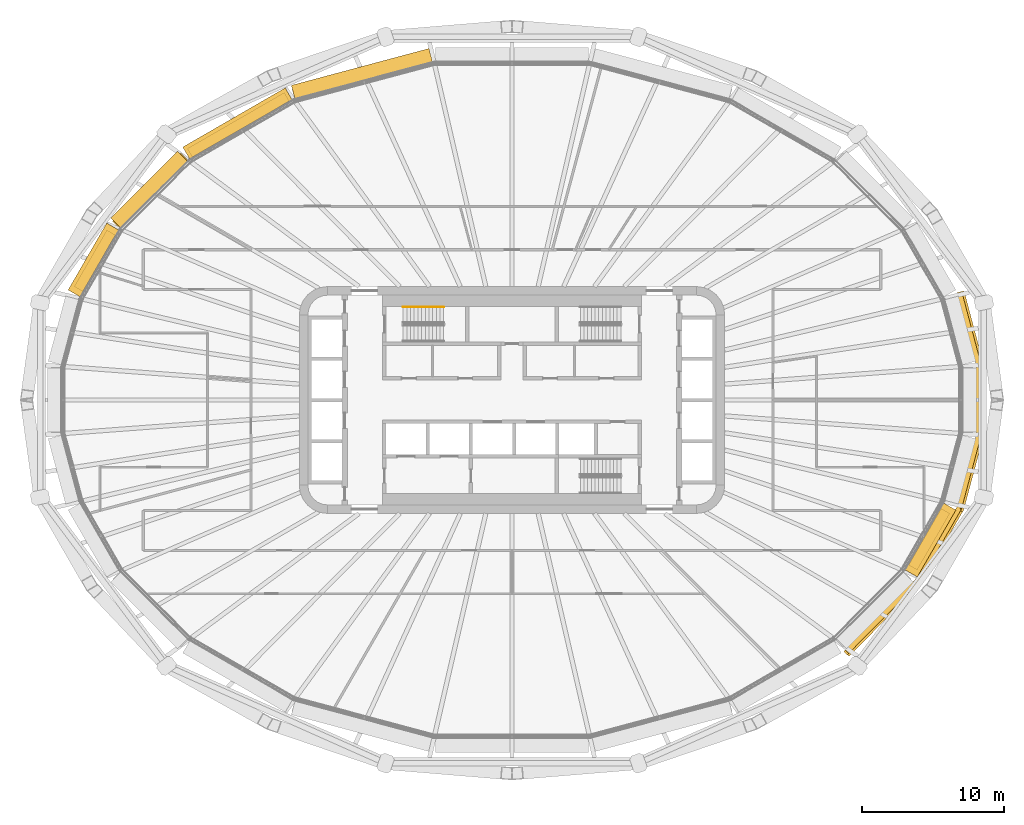
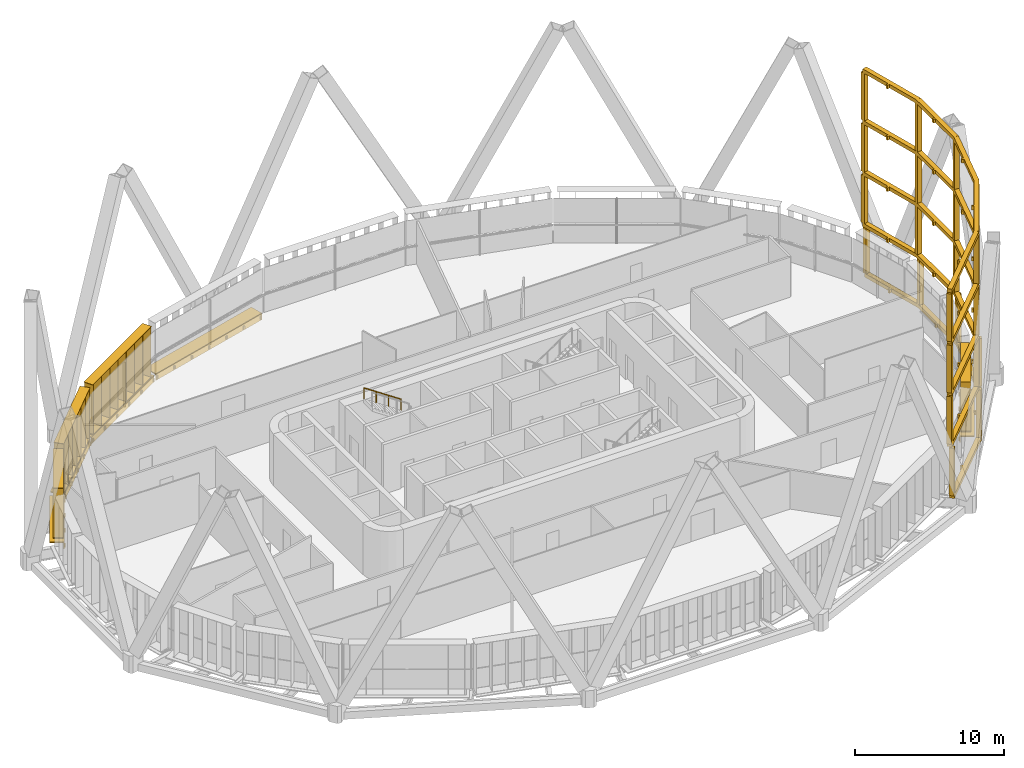
# One storey, part 25 of 26: 10 shading devices, 1 railing.
"""IFC4 building model written with IfcOpenShell, lengths in metres."""

from ifc_helpers import new_model, si_unit, direction, frame, origin, origin_2d, place, context, subcontext, project, spatial, polyline, rectangle, circle, outline, extrude, material, type_object, element, save


model = new_model("IFC4")

# Units and contexts
model_context = context("Model", 3, precision=1e-05, world=origin(), true_north=direction((0.0, 1.0)))
body_context = subcontext(model_context, "Body", "Model", "MODEL_VIEW")
ifc_project = project(units=[si_unit("LENGTHUNIT", "METRE"), si_unit("AREAUNIT", "SQUARE_METRE"), si_unit("VOLUMEUNIT", "CUBIC_METRE"), si_unit("PLANEANGLEUNIT", "RADIAN"), si_unit("MASSUNIT", "GRAM", prefix="KILO")], contexts=[model_context])

# Site, building, storey
site_placement = place(None, origin())
site = spatial("IfcSite", under=ifc_project, at=site_placement, CompositionType="ELEMENT")
building_placement = place(site_placement, origin())
building = spatial("IfcBuilding", under=site, at=building_placement, Name="Sahrelin Media Tower", CompositionType="ELEMENT")
storey_placement = place(building_placement, frame((0.0, 0.0, 131.39990234375)))
storey = spatial("IfcBuildingStorey", under=building, at=storey_placement, Name="L26", CompositionType="ELEMENT", Elevation=131.39990234375)

# Shading devices
ifc_material_1 = material(Name="Dark bronze anodised aluminium 6063-T6", Category="aluminium")
shading_device_type_1 = type_object("IfcShadingDeviceType", Name="Deep frame", PredefinedType="USERDEFINED", material=ifc_material_1)
shading_device_1_placement = place(storey_placement, frame((22.793212890625, -16.902587890625, 0.0), z_axis=(0.0, 0.0, 1.0), x_axis=(-0.707106781187, -0.707106781187, 0.0)))
element("IfcShadingDevice", 1, at=shading_device_1_placement, inside=storey, type_object=shading_device_type_1, Name="L26:FRAME:F2-6", ObjectType="FRAME", PredefinedType="USERDEFINED", context=body_context, shape_type="SweptSolid", body=[
    extrude(rectangle(XDim=0.300048828125, YDim=0.35009765625, at=origin_2d()), frame((0.0, 1.324951171875, 0.14990234375), z_axis=(0.0, 0.0, 1.0), x_axis=(-1.0, 0.0, 0.0)), (0.0, 0.0, 1.0), 3.900146484375),
    extrude(rectangle(XDim=0.300048828125, YDim=0.35009765625, at=origin_2d()), frame((-7.03125, 1.313720703125, 0.14990234375), z_axis=(0.0, 0.0, 1.0), x_axis=(-0.991436202368, -0.130591947046, 0.0)), (0.0, 0.0, 1.0), 3.900146484375),
    extrude(rectangle(XDim=0.300048828125, YDim=0.35009765625, at=origin_2d()), frame((-12.818115234375, -0.23681640625, 0.14990234375), z_axis=(0.0, 0.0, 1.0), x_axis=(-0.923876860854, -0.382689882252, 0.0)), (0.0, 0.0, 1.0), 3.900146484375),
    extrude(rectangle(XDim=0.300048828125, YDim=0.35009765625, at=origin_2d()), frame((-17.414306640625, -2.890380859375, 0.14990234375), z_axis=(0.0, 0.0, 1.0), x_axis=(-0.793362902596, -0.608748966968, 0.0)), (0.0, 0.0, 1.0), 3.900146484375),
    extrude(rectangle(XDim=0.300048828125, YDim=0.35009765625, at=origin_2d()), frame((-21.013427734375, -6.4892578125, 0.14990234375), z_axis=(0.0, 0.0, 1.0), x_axis=(-0.608700502051, -0.793400087474, 0.0)), (0.0, 0.0, 1.0), 3.900146484375),
    extrude(rectangle(XDim=0.300048828125, YDim=0.35009765625, at=origin_2d()), frame((-23.59033203125, -10.93017578125, 0.14990234375), z_axis=(0.0, 0.0, 1.0), x_axis=(-0.500010580459, -0.866019295067, 0.0)), (0.0, 0.0, 1.0), 3.900146484375),
    extrude(outline(polyline([(-7.031494140625, 1.48876953125), (-7.03125, 1.313720703125), (-7.076416015625, 1.482666015625), (-12.86328125, -0.06787109375), (-12.818115234375, -0.23681640625), (-12.905517578125, -0.085205078125), (-17.501953125, -2.73876953125), (-17.414306640625, -2.890380859375), (-17.5380859375, -2.7666015625), (-21.13720703125, -6.365478515625), (-21.013427734375, -6.4892578125), (-21.164794921875, -6.401611328125), (-23.74169921875, -10.84228515625), (-23.43896484375, -11.017822265625), (-22.2314453125, -8.93701171875), (-22.080078125, -9.024169921875), (-22.005126953125, -8.894287109375), (-22.156005859375, -8.80712890625), (-20.87353515625, -6.596923828125), (-19.143310546875, -4.86669921875), (-19.02392578125, -4.98583984375), (-18.917724609375, -4.8798828125), (-19.037109375, -4.760498046875), (-17.306884765625, -3.030517578125), (-15.09375, -1.752685546875), (-15.009521484375, -1.898681640625), (-14.87939453125, -1.82373046875), (-14.9638671875, -1.677734375), (-12.75048828125, -0.39990234375), (-9.951904296875, 0.35009765625), (-9.908203125, 0.18701171875), (-9.76318359375, 0.225830078125), (-9.806884765625, 0.388916015625), (-7.008056640625, 1.138671875), (-3.504150390625, 1.144287109375), (-3.504150390625, 0.969970703125), (-3.35400390625, 0.969970703125), (-3.35400390625, 1.14453125), (0.000244140625, 1.14990234375), (-0.000244140625, 1.5), (-7.031494140625, 1.48876953125)])), frame((0.0, 0.0, -0.14990234375)), (0.0, 0.0, 1.0), 0.2998046875),
    extrude(rectangle(XDim=0.300048828125, YDim=0.35009765625, at=origin_2d()), frame((0.018798828125, 1.1728515625, 4.35009765625), z_axis=(0.0, 0.0, 1.0), x_axis=(-1.0, 0.0, 0.0)), (0.0, 0.0, 1.0), 3.89990234375),
    extrude(rectangle(XDim=0.300048828125, YDim=0.35009765625, at=origin_2d()), frame((-6.974609375, 1.16162109375, 4.35009765625), z_axis=(0.0, 0.0, 1.0), x_axis=(-0.991447594891, -0.130505427419, 0.0)), (0.0, 0.0, 1.0), 3.89990234375),
    extrude(rectangle(XDim=0.300048828125, YDim=0.35009765625, at=origin_2d()), frame((-12.731201171875, -0.380859375, 4.35009765625), z_axis=(0.0, 0.0, 1.0), x_axis=(-0.923876860854, -0.382689882252, 0.0)), (0.0, 0.0, 1.0), 3.89990234375),
    extrude(rectangle(XDim=0.300048828125, YDim=0.35009765625, at=origin_2d()), frame((-17.30322265625, -3.0205078125, 4.35009765625), z_axis=(0.0, 0.0, 1.0), x_axis=(-0.793400087474, -0.608700502051, 0.0)), (0.0, 0.0, 1.0), 3.89990234375),
    extrude(rectangle(XDim=0.300048828125, YDim=0.35009765625, at=origin_2d()), frame((-20.88330078125, -6.6005859375, 4.35009765625), z_axis=(0.0, 0.0, 1.0), x_axis=(-0.608748966968, -0.793362902596, 0.0)), (0.0, 0.0, 1.0), 3.89990234375),
    extrude(rectangle(XDim=0.300048828125, YDim=0.35009765625, at=origin_2d()), frame((-23.4462890625, -11.01708984375, 4.35009765625), z_axis=(0.0, 0.0, 1.0), x_axis=(-0.499968258175, -0.86604372916, 0.0)), (0.0, 0.0, 1.0), 3.89990234375),
    extrude(outline(polyline([(-6.97509765625, 1.33642578125), (-6.974609375, 1.16162109375), (-7.02001953125, 1.33056640625), (-12.776611328125, -0.2119140625), (-12.731201171875, -0.380859375), (-12.818603515625, -0.2294921875), (-17.390625, -2.868896484375), (-17.30322265625, -3.0205078125), (-17.427001953125, -2.896728515625), (-21.007080078125, -6.476806640625), (-20.88330078125, -6.6005859375), (-21.03466796875, -6.5126953125), (-23.59765625, -10.92919921875), (-23.294921875, -11.10498046875), (-22.09423828125, -9.035888671875), (-21.943115234375, -9.123291015625), (-21.867919921875, -8.993408203125), (-22.01904296875, -8.90625), (-20.743408203125, -6.7080078125), (-19.0224609375, -4.9873046875), (-18.9033203125, -5.1064453125), (-18.797119140625, -5.00048828125), (-18.91650390625, -4.881103515625), (-17.19580078125, -3.160400390625), (-14.99462890625, -1.889892578125), (-14.910400390625, -2.035888671875), (-14.780517578125, -1.960693359375), (-14.86474609375, -1.814697265625), (-12.66357421875, -0.5439453125), (-9.880126953125, 0.201904296875), (-9.83642578125, 0.038818359375), (-9.69140625, 0.07763671875), (-9.735107421875, 0.24072265625), (-6.951416015625, 0.986572265625), (-3.46630859375, 0.9921875), (-3.46630859375, 0.81787109375), (-3.31640625, 0.81787109375), (-3.31640625, 0.992431640625), (0.019287109375, 0.997802734375), (0.0185546875, 1.347900390625), (-6.97509765625, 1.33642578125)])), frame((0.0, 0.0, 4.050048828125)), (0.0, 0.0, 1.0), 0.300048828125),
    extrude(rectangle(XDim=0.300048828125, YDim=0.35009765625, at=origin_2d()), frame((0.018798828125, 1.1728515625, 8.550048828125), z_axis=(0.0, 0.0, 1.0), x_axis=(-1.0, 0.0, 0.0)), (0.0, 0.0, 1.0), 3.89990234375),
    extrude(rectangle(XDim=0.300048828125, YDim=0.35009765625, at=origin_2d()), frame((-6.974609375, 1.16162109375, 8.550048828125), z_axis=(0.0, 0.0, 1.0), x_axis=(-0.991447594891, -0.130505427419, 0.0)), (0.0, 0.0, 1.0), 3.89990234375),
    extrude(rectangle(XDim=0.300048828125, YDim=0.35009765625, at=origin_2d()), frame((-12.731201171875, -0.380859375, 8.550048828125), z_axis=(0.0, 0.0, 1.0), x_axis=(-0.923876860854, -0.382689882252, 0.0)), (0.0, 0.0, 1.0), 3.89990234375),
    extrude(rectangle(XDim=0.300048828125, YDim=0.35009765625, at=origin_2d()), frame((-17.30322265625, -3.0205078125, 8.550048828125), z_axis=(0.0, 0.0, 1.0), x_axis=(-0.793400087474, -0.608700502051, 0.0)), (0.0, 0.0, 1.0), 3.89990234375),
    extrude(rectangle(XDim=0.300048828125, YDim=0.35009765625, at=origin_2d()), frame((-20.88330078125, -6.6005859375, 8.550048828125), z_axis=(0.0, 0.0, 1.0), x_axis=(-0.608748966968, -0.793362902596, 0.0)), (0.0, 0.0, 1.0), 3.89990234375),
    extrude(rectangle(XDim=0.300048828125, YDim=0.35009765625, at=origin_2d()), frame((-23.4462890625, -11.01708984375, 8.550048828125), z_axis=(0.0, 0.0, 1.0), x_axis=(-0.499968258175, -0.86604372916, 0.0)), (0.0, 0.0, 1.0), 3.89990234375),
    extrude(outline(polyline([(-6.97509765625, 1.33642578125), (-6.974609375, 1.16162109375), (-7.02001953125, 1.33056640625), (-12.776611328125, -0.2119140625), (-12.731201171875, -0.380859375), (-12.818603515625, -0.2294921875), (-17.390625, -2.868896484375), (-17.30322265625, -3.0205078125), (-17.427001953125, -2.896728515625), (-21.007080078125, -6.476806640625), (-20.88330078125, -6.6005859375), (-21.03466796875, -6.5126953125), (-23.59765625, -10.92919921875), (-23.294921875, -11.10498046875), (-22.09423828125, -9.035888671875), (-21.943115234375, -9.123291015625), (-21.867919921875, -8.993408203125), (-22.01904296875, -8.90625), (-20.743408203125, -6.7080078125), (-19.0224609375, -4.9873046875), (-18.9033203125, -5.1064453125), (-18.797119140625, -5.00048828125), (-18.91650390625, -4.881103515625), (-17.19580078125, -3.160400390625), (-14.99462890625, -1.889892578125), (-14.910400390625, -2.035888671875), (-14.780517578125, -1.960693359375), (-14.86474609375, -1.814697265625), (-12.66357421875, -0.5439453125), (-9.880126953125, 0.201904296875), (-9.83642578125, 0.038818359375), (-9.69140625, 0.07763671875), (-9.735107421875, 0.24072265625), (-6.951416015625, 0.986572265625), (-3.46630859375, 0.9921875), (-3.46630859375, 0.81787109375), (-3.31640625, 0.81787109375), (-3.31640625, 0.992431640625), (0.019287109375, 0.997802734375), (0.0185546875, 1.347900390625), (-6.97509765625, 1.33642578125)])), frame((0.0, 0.0, 8.25)), (0.0, 0.0, 1.0), 0.300048828125),
    extrude(rectangle(XDim=0.300048828125, YDim=0.35009765625, at=origin_2d()), frame((0.018798828125, 1.1728515625, 12.75), z_axis=(0.0, 0.0, 1.0), x_axis=(-1.0, 0.0, 0.0)), (0.0, 0.0, 1.0), 3.89990234375),
    extrude(rectangle(XDim=0.300048828125, YDim=0.35009765625, at=origin_2d()), frame((-6.974609375, 1.16162109375, 12.75), z_axis=(0.0, 0.0, 1.0), x_axis=(-0.991447594891, -0.130505427419, 0.0)), (0.0, 0.0, 1.0), 3.89990234375),
    extrude(rectangle(XDim=0.300048828125, YDim=0.35009765625, at=origin_2d()), frame((-12.731201171875, -0.380859375, 12.75), z_axis=(0.0, 0.0, 1.0), x_axis=(-0.923876860854, -0.382689882252, 0.0)), (0.0, 0.0, 1.0), 3.89990234375),
    extrude(rectangle(XDim=0.300048828125, YDim=0.35009765625, at=origin_2d()), frame((-17.30322265625, -3.0205078125, 12.75), z_axis=(0.0, 0.0, 1.0), x_axis=(-0.793400087474, -0.608700502051, 0.0)), (0.0, 0.0, 1.0), 3.89990234375),
    extrude(rectangle(XDim=0.300048828125, YDim=0.35009765625, at=origin_2d()), frame((-20.88330078125, -6.6005859375, 12.75), z_axis=(0.0, 0.0, 1.0), x_axis=(-0.608748966968, -0.793362902596, 0.0)), (0.0, 0.0, 1.0), 3.89990234375),
    extrude(rectangle(XDim=0.300048828125, YDim=0.35009765625, at=origin_2d()), frame((-23.4462890625, -11.01708984375, 12.75), z_axis=(0.0, 0.0, 1.0), x_axis=(-0.499968258175, -0.86604372916, 0.0)), (0.0, 0.0, 1.0), 3.89990234375),
    extrude(outline(polyline([(-6.97509765625, 1.33642578125), (-6.974609375, 1.16162109375), (-7.02001953125, 1.33056640625), (-12.776611328125, -0.2119140625), (-12.731201171875, -0.380859375), (-12.818603515625, -0.2294921875), (-17.390625, -2.868896484375), (-17.30322265625, -3.0205078125), (-17.427001953125, -2.896728515625), (-21.007080078125, -6.476806640625), (-20.88330078125, -6.6005859375), (-21.03466796875, -6.5126953125), (-23.59765625, -10.92919921875), (-23.294921875, -11.10498046875), (-22.09423828125, -9.035888671875), (-21.943115234375, -9.123291015625), (-21.867919921875, -8.993408203125), (-22.01904296875, -8.90625), (-20.743408203125, -6.7080078125), (-19.0224609375, -4.9873046875), (-18.9033203125, -5.1064453125), (-18.797119140625, -5.00048828125), (-18.91650390625, -4.881103515625), (-17.19580078125, -3.160400390625), (-14.99462890625, -1.889892578125), (-14.910400390625, -2.035888671875), (-14.780517578125, -1.960693359375), (-14.86474609375, -1.814697265625), (-12.66357421875, -0.5439453125), (-9.880126953125, 0.201904296875), (-9.83642578125, 0.038818359375), (-9.69140625, 0.07763671875), (-9.735107421875, 0.24072265625), (-6.951416015625, 0.986572265625), (-3.46630859375, 0.9921875), (-3.46630859375, 0.81787109375), (-3.31640625, 0.81787109375), (-3.31640625, 0.992431640625), (0.019287109375, 0.997802734375), (0.0185546875, 1.347900390625), (-6.97509765625, 1.33642578125)])), frame((0.0, 0.0, 12.449951171875)), (0.0, 0.0, 1.0), 0.300048828125),
    extrude(outline(polyline([(-6.97509765625, 1.33642578125), (-6.974609375, 1.16162109375), (-7.02001953125, 1.33056640625), (-12.776611328125, -0.2119140625), (-12.731201171875, -0.380859375), (-12.818603515625, -0.2294921875), (-17.390625, -2.868896484375), (-17.30322265625, -3.0205078125), (-17.427001953125, -2.896728515625), (-21.007080078125, -6.476806640625), (-20.88330078125, -6.6005859375), (-21.03466796875, -6.5126953125), (-23.59765625, -10.92919921875), (-23.294921875, -11.10498046875), (-22.09423828125, -9.035888671875), (-21.943115234375, -9.123291015625), (-21.867919921875, -8.993408203125), (-22.01904296875, -8.90625), (-20.743408203125, -6.7080078125), (-19.0224609375, -4.9873046875), (-18.9033203125, -5.1064453125), (-18.797119140625, -5.00048828125), (-18.91650390625, -4.881103515625), (-17.19580078125, -3.160400390625), (-14.99462890625, -1.889892578125), (-14.910400390625, -2.035888671875), (-14.780517578125, -1.960693359375), (-14.86474609375, -1.814697265625), (-12.66357421875, -0.5439453125), (-9.880126953125, 0.201904296875), (-9.83642578125, 0.038818359375), (-9.69140625, 0.07763671875), (-9.735107421875, 0.24072265625), (-6.951416015625, 0.986572265625), (-3.46630859375, 0.9921875), (-3.46630859375, 0.81787109375), (-3.31640625, 0.81787109375), (-3.31640625, 0.992431640625), (0.019287109375, 0.997802734375), (0.0185546875, 1.347900390625), (-6.97509765625, 1.33642578125)])), frame((0.0, 0.0, 16.64990234375)), (0.0, 0.0, 1.0), 0.300048828125),
])
ifc_material_2 = material(Name="Champagne anodised aluminium 6063-T6", Category="aluminium")
shading_device_type_2 = type_object("IfcShadingDeviceType", Name="Fin cassette", PredefinedType="USERDEFINED", material=ifc_material_2)
placement_1 = place(storey_placement, frame((-19.092041015625, 19.039306640625, 0.0), z_axis=(0.0, 0.0, 1.0), x_axis=(0.866019052629, 0.500011000363, 0.0)))
element("IfcShadingDevice", 2, at=placement_1, inside=storey, type_object=shading_device_type_2, Name="L26:FIN:L26-08", ObjectType="FIN", PredefinedType="USERDEFINED", context=body_context, shape_type="SweptSolid", body=[
    extrude(rectangle(XDim=7.89990234375, YDim=0.699951171875, at=origin_2d()), frame((0.0, 0.419921875, 0.0)), (0.0, 0.0, 1.0), 0.02001953125),
    extrude(rectangle(XDim=7.89990234375, YDim=0.699951171875, at=origin_2d()), frame((0.0, 0.419921875, 4.10009765625)), (0.0, 0.0, 1.0), 0.02001953125),
    extrude(rectangle(XDim=0.02001953125, YDim=0.699951171875, at=origin_2d()), frame((-3.85009765625, 0.419921875, 0.010009765625), z_axis=(0.0, 0.0, 1.0), x_axis=(1.0, 0.0, 0.0)), (0.0, 0.0, 1.0), 4.10009765625),
    extrude(rectangle(XDim=0.02001953125, YDim=0.699951171875, at=origin_2d()), frame((-2.75, 0.419921875, 0.010009765625), z_axis=(0.0, 0.0, 1.0), x_axis=(1.0, 0.0, 0.0)), (0.0, 0.0, 1.0), 4.10009765625),
    extrude(rectangle(XDim=0.02001953125, YDim=0.699951171875, at=origin_2d()), frame((-1.64990234375, 0.419921875, 0.010009765625), z_axis=(0.0, 0.0, 1.0), x_axis=(1.0, 0.0, 0.0)), (0.0, 0.0, 1.0), 4.10009765625),
    extrude(rectangle(XDim=0.02001953125, YDim=0.699951171875, at=origin_2d()), frame((-0.550048828125, 0.419921875, 0.010009765625), z_axis=(0.0, 0.0, 1.0), x_axis=(1.0, 0.0, 0.0)), (0.0, 0.0, 1.0), 4.10009765625),
    extrude(rectangle(XDim=0.02001953125, YDim=0.699951171875, at=origin_2d()), frame((0.550048828125, 0.419921875, 0.010009765625), z_axis=(0.0, 0.0, 1.0), x_axis=(1.0, 0.0, 0.0)), (0.0, 0.0, 1.0), 4.10009765625),
    extrude(rectangle(XDim=0.02001953125, YDim=0.699951171875, at=origin_2d()), frame((1.64990234375, 0.419921875, 0.010009765625), z_axis=(0.0, 0.0, 1.0), x_axis=(1.0, 0.0, 0.0)), (0.0, 0.0, 1.0), 4.10009765625),
    extrude(rectangle(XDim=0.02001953125, YDim=0.699951171875, at=origin_2d()), frame((2.75, 0.419921875, 0.010009765625), z_axis=(0.0, 0.0, 1.0), x_axis=(1.0, 0.0, 0.0)), (0.0, 0.0, 1.0), 4.10009765625),
    extrude(rectangle(XDim=0.02001953125, YDim=0.699951171875, at=origin_2d()), frame((3.85009765625, 0.419921875, 0.010009765625), z_axis=(0.0, 0.0, 1.0), x_axis=(1.0, 0.0, 0.0)), (0.0, 0.0, 1.0), 4.10009765625),
])
placement_2 = place(storey_placement, frame((-25.218017578125, 14.477783203125, 0.0), z_axis=(0.0, 0.0, 1.0), x_axis=(0.707106781187, 0.707106781187, 0.0)))
element("IfcShadingDevice", 3, at=placement_2, inside=storey, type_object=shading_device_type_2, Name="L26:FIN:L26-09", ObjectType="FIN", PredefinedType="USERDEFINED", context=body_context, shape_type="SweptSolid", body=[
    extrude(rectangle(XDim=6.800048828125, YDim=0.699951171875, at=origin_2d()), frame((0.0, 0.419921875, 0.0)), (0.0, 0.0, 1.0), 0.02001953125),
    extrude(rectangle(XDim=6.800048828125, YDim=0.699951171875, at=origin_2d()), frame((0.0, 0.419921875, 4.10009765625)), (0.0, 0.0, 1.0), 0.02001953125),
    extrude(rectangle(XDim=0.02001953125, YDim=0.699951171875, at=origin_2d()), frame((-3.300048828125, 0.419921875, 0.010009765625), z_axis=(0.0, 0.0, 1.0), x_axis=(1.0, 0.0, 0.0)), (0.0, 0.0, 1.0), 4.10009765625),
    extrude(rectangle(XDim=0.02001953125, YDim=0.699951171875, at=origin_2d()), frame((-2.199951171875, 0.419921875, 0.010009765625), z_axis=(0.0, 0.0, 1.0), x_axis=(1.0, 0.0, 0.0)), (0.0, 0.0, 1.0), 4.10009765625),
    extrude(rectangle(XDim=0.02001953125, YDim=0.699951171875, at=origin_2d()), frame((-1.10009765625, 0.419921875, 0.010009765625), z_axis=(0.0, 0.0, 1.0), x_axis=(1.0, 0.0, 0.0)), (0.0, 0.0, 1.0), 4.10009765625),
    extrude(rectangle(XDim=0.02001953125, YDim=0.699951171875, at=origin_2d()), frame((0.0, 0.419921875, 0.010009765625), z_axis=(0.0, 0.0, 1.0), x_axis=(1.0, 0.0, 0.0)), (0.0, 0.0, 1.0), 4.10009765625),
    extrude(rectangle(XDim=0.02001953125, YDim=0.699951171875, at=origin_2d()), frame((1.10009765625, 0.419921875, 0.010009765625), z_axis=(0.0, 0.0, 1.0), x_axis=(1.0, 0.0, 0.0)), (0.0, 0.0, 1.0), 4.10009765625),
    extrude(rectangle(XDim=0.02001953125, YDim=0.699951171875, at=origin_2d()), frame((2.199951171875, 0.419921875, 0.010009765625), z_axis=(0.0, 0.0, 1.0), x_axis=(1.0, 0.0, 0.0)), (0.0, 0.0, 1.0), 4.10009765625),
    extrude(rectangle(XDim=0.02001953125, YDim=0.699951171875, at=origin_2d()), frame((3.300048828125, 0.419921875, 0.010009765625), z_axis=(0.0, 0.0, 1.0), x_axis=(1.0, 0.0, 0.0)), (0.0, 0.0, 1.0), 4.10009765625),
])
placement_3 = place(storey_placement, frame((-29.053955078125, 9.608642578125, 0.0), z_axis=(0.0, 0.0, 1.0), x_axis=(0.500011000363, 0.866019052629, 0.0)))
element("IfcShadingDevice", 4, at=placement_3, inside=storey, type_object=shading_device_type_2, Name="L26:FIN:L26-10", ObjectType="FIN", PredefinedType="USERDEFINED", context=body_context, shape_type="SweptSolid", body=[
    extrude(rectangle(XDim=4.60009765625, YDim=0.699951171875, at=origin_2d()), frame((0.0, 0.419921875, 0.0)), (0.0, 0.0, 1.0), 0.02001953125),
    extrude(rectangle(XDim=4.60009765625, YDim=0.699951171875, at=origin_2d()), frame((0.0, 0.419921875, 4.10009765625)), (0.0, 0.0, 1.0), 0.02001953125),
    extrude(rectangle(XDim=0.02001953125, YDim=0.699951171875, at=origin_2d()), frame((-2.199951171875, 0.419921875, 0.010009765625), z_axis=(0.0, 0.0, 1.0), x_axis=(1.0, 0.0, 0.0)), (0.0, 0.0, 1.0), 4.10009765625),
    extrude(rectangle(XDim=0.02001953125, YDim=0.699951171875, at=origin_2d()), frame((-1.10009765625, 0.419921875, 0.010009765625), z_axis=(0.0, 0.0, 1.0), x_axis=(1.0, 0.0, 0.0)), (0.0, 0.0, 1.0), 4.10009765625),
    extrude(rectangle(XDim=0.02001953125, YDim=0.699951171875, at=origin_2d()), frame((0.0, 0.419921875, 0.010009765625), z_axis=(0.0, 0.0, 1.0), x_axis=(1.0, 0.0, 0.0)), (0.0, 0.0, 1.0), 4.10009765625),
    extrude(rectangle(XDim=0.02001953125, YDim=0.699951171875, at=origin_2d()), frame((1.10009765625, 0.419921875, 0.010009765625), z_axis=(0.0, 0.0, 1.0), x_axis=(1.0, 0.0, 0.0)), (0.0, 0.0, 1.0), 4.10009765625),
    extrude(rectangle(XDim=0.02001953125, YDim=0.699951171875, at=origin_2d()), frame((2.199951171875, 0.419921875, 0.010009765625), z_axis=(0.0, 0.0, 1.0), x_axis=(1.0, 0.0, 0.0)), (0.0, 0.0, 1.0), 4.10009765625),
])
placement_4 = place(storey_placement, frame((29.053955078125, -9.608642578125, 0.0), z_axis=(0.0, 0.0, 1.0), x_axis=(-0.500011000363, -0.866019052629, 0.0)))
element("IfcShadingDevice", 5, at=placement_4, inside=storey, type_object=shading_device_type_2, Name="L26:FIN:L26-22", ObjectType="FIN", PredefinedType="USERDEFINED", context=body_context, shape_type="SweptSolid", body=[
    extrude(rectangle(XDim=4.60009765625, YDim=0.699951171875, at=origin_2d()), frame((0.0, 0.419921875, 0.0)), (0.0, 0.0, 1.0), 0.02001953125),
    extrude(rectangle(XDim=4.60009765625, YDim=0.699951171875, at=origin_2d()), frame((0.0, 0.419921875, 4.10009765625)), (0.0, 0.0, 1.0), 0.02001953125),
    extrude(rectangle(XDim=0.02001953125, YDim=0.699951171875, at=origin_2d()), frame((-2.199951171875, 0.419921875, 0.010009765625), z_axis=(0.0, 0.0, 1.0), x_axis=(1.0, 0.0, 0.0)), (0.0, 0.0, 1.0), 4.10009765625),
    extrude(rectangle(XDim=0.02001953125, YDim=0.699951171875, at=origin_2d()), frame((-1.10009765625, 0.419921875, 0.010009765625), z_axis=(0.0, 0.0, 1.0), x_axis=(1.0, 0.0, 0.0)), (0.0, 0.0, 1.0), 4.10009765625),
    extrude(rectangle(XDim=0.02001953125, YDim=0.699951171875, at=origin_2d()), frame((0.0, 0.419921875, 0.010009765625), z_axis=(0.0, 0.0, 1.0), x_axis=(1.0, 0.0, 0.0)), (0.0, 0.0, 1.0), 4.10009765625),
    extrude(rectangle(XDim=0.02001953125, YDim=0.699951171875, at=origin_2d()), frame((1.10009765625, 0.419921875, 0.010009765625), z_axis=(0.0, 0.0, 1.0), x_axis=(1.0, 0.0, 0.0)), (0.0, 0.0, 1.0), 4.10009765625),
    extrude(rectangle(XDim=0.02001953125, YDim=0.699951171875, at=origin_2d()), frame((2.199951171875, 0.419921875, 0.010009765625), z_axis=(0.0, 0.0, 1.0), x_axis=(1.0, 0.0, 0.0)), (0.0, 0.0, 1.0), 4.10009765625),
])

# Railing
ifc_material_3 = material(Name="Steel S355", Category="steel")
railing_type = type_object("IfcRailingType", Name="Stair handrail 900", PredefinedType="HANDRAIL", material=ifc_material_3)
railing_placement = place(storey_placement, frame((-4.81494140625, 6.550048828125, 2.275146484375)))
element("IfcRailing", 6, at=railing_placement, inside=storey, type_object=railing_type, Name="L26 ST1 stair handrail 2", PredefinedType="HANDRAIL", context=body_context, shape_type="SweptSolid", body=[
    extrude(circle(Radius=0.02392578125, at=origin_2d()), frame((0.0, 0.0, 0.8759765625), z_axis=(-0.829590901723, 0.0, 0.558371682465), x_axis=(0.0, -1.0, 0.0)), (0.0, 0.0, 1.0), 3.447509765625),
    extrude(circle(Radius=0.02099609375, at=origin_2d()), origin(), (0.0, 0.0, 1.0), 0.851806640625),
    extrude(circle(Radius=0.02099609375, at=origin_2d()), frame((-0.953369140625, 0.0, 0.6416015625)), (0.0, 0.0, 1.0), 0.851806640625),
    extrude(circle(Radius=0.02099609375, at=origin_2d()), frame((-1.90673828125, 0.0, 1.283447265625)), (0.0, 0.0, 1.0), 0.851806640625),
    extrude(circle(Radius=0.02099609375, at=origin_2d()), frame((-2.860107421875, 0.0, 1.925048828125)), (0.0, 0.0, 1.0), 0.851806640625),
])

# Shading devices
shading_device_type_3 = type_object("IfcShadingDeviceType", Name="Sunshade band", PredefinedType="USERDEFINED", material=ifc_material_2)
shading_device_6_placement = place(storey_placement, frame((-10.4443359375, 22.501708984375, 0.0), z_axis=(0.0, 0.0, 1.0), x_axis=(0.965928857556, 0.258807731996, 0.0)))
element("IfcShadingDevice", 7, at=shading_device_6_placement, inside=storey, type_object=shading_device_type_3, Name="L26:SUN:L26-07", ObjectType="SUNSHADE", PredefinedType="USERDEFINED", context=body_context, shape_type="SweptSolid", body=[
    extrude(rectangle(XDim=10.0419921875, YDim=0.050048828125, at=origin_2d()), frame((0.0, 0.044921875, -0.55126953125)), (0.0, 0.0, 1.0), 0.471435546875),
    extrude(rectangle(XDim=10.0419921875, YDim=1.0, at=origin_2d()), frame((0.0, 0.52001953125, -0.080078125)), (0.0, 0.0, 1.0), 0.080078125),
    extrude(rectangle(XDim=0.10009765625, YDim=0.074951171875, at=origin_2d()), frame((-4.9208984375, -0.017578125, -0.47021484375)), (0.0, 0.0, 1.0), 0.300048828125),
    extrude(rectangle(XDim=0.10009765625, YDim=0.074951171875, at=origin_2d()), frame((-3.28076171875, -0.017578125, -0.47021484375)), (0.0, 0.0, 1.0), 0.300048828125),
    extrude(rectangle(XDim=0.10009765625, YDim=0.074951171875, at=origin_2d()), frame((-1.640380859375, -0.017578125, -0.47021484375)), (0.0, 0.0, 1.0), 0.300048828125),
    extrude(rectangle(XDim=0.10009765625, YDim=0.074951171875, at=origin_2d()), frame((0.0, -0.017578125, -0.47021484375)), (0.0, 0.0, 1.0), 0.300048828125),
    extrude(rectangle(XDim=0.10009765625, YDim=0.074951171875, at=origin_2d()), frame((1.640380859375, -0.017578125, -0.47021484375)), (0.0, 0.0, 1.0), 0.300048828125),
    extrude(rectangle(XDim=0.10009765625, YDim=0.074951171875, at=origin_2d()), frame((3.28076171875, -0.017578125, -0.47021484375)), (0.0, 0.0, 1.0), 0.300048828125),
    extrude(rectangle(XDim=0.10009765625, YDim=0.074951171875, at=origin_2d()), frame((4.9208984375, -0.017578125, -0.47021484375)), (0.0, 0.0, 1.0), 0.300048828125),
])
element("IfcShadingDevice", 8, at=placement_1, inside=storey, type_object=shading_device_type_3, Name="L26:SUN:L26-08", ObjectType="SUNSHADE", PredefinedType="USERDEFINED", context=body_context, shape_type="SweptSolid", body=[
    extrude(rectangle(XDim=8.347412109375, YDim=0.050048828125, at=origin_2d()), frame((0.0, 0.044921875, -0.55126953125)), (0.0, 0.0, 1.0), 0.471435546875),
    extrude(rectangle(XDim=8.347412109375, YDim=1.0, at=origin_2d()), frame((0.0, 0.52001953125, -0.080078125)), (0.0, 0.0, 1.0), 0.080078125),
    extrude(rectangle(XDim=0.10009765625, YDim=0.074951171875, at=origin_2d()), frame((-4.073486328125, -0.017578125, -0.47021484375)), (0.0, 0.0, 1.0), 0.300048828125),
    extrude(rectangle(XDim=0.10009765625, YDim=0.074951171875, at=origin_2d()), frame((-2.444091796875, -0.017578125, -0.47021484375)), (0.0, 0.0, 1.0), 0.300048828125),
    extrude(rectangle(XDim=0.10009765625, YDim=0.074951171875, at=origin_2d()), frame((-0.814697265625, -0.017578125, -0.47021484375)), (0.0, 0.0, 1.0), 0.300048828125),
    extrude(rectangle(XDim=0.10009765625, YDim=0.074951171875, at=origin_2d()), frame((0.814697265625, -0.017578125, -0.47021484375)), (0.0, 0.0, 1.0), 0.300048828125),
    extrude(rectangle(XDim=0.10009765625, YDim=0.074951171875, at=origin_2d()), frame((2.444091796875, -0.017578125, -0.47021484375)), (0.0, 0.0, 1.0), 0.300048828125),
    extrude(rectangle(XDim=0.10009765625, YDim=0.074951171875, at=origin_2d()), frame((4.073486328125, -0.017578125, -0.47021484375)), (0.0, 0.0, 1.0), 0.300048828125),
])
element("IfcShadingDevice", 9, at=placement_2, inside=storey, type_object=shading_device_type_3, Name="L26:SUN:L26-09", ObjectType="SUNSHADE", PredefinedType="USERDEFINED", context=body_context, shape_type="SweptSolid", body=[
    extrude(rectangle(XDim=6.658203125, YDim=0.050048828125, at=origin_2d()), frame((0.0, 0.044921875, -0.55126953125)), (0.0, 0.0, 1.0), 0.471435546875),
    extrude(rectangle(XDim=6.658203125, YDim=1.0, at=origin_2d()), frame((0.0, 0.52001953125, -0.080078125)), (0.0, 0.0, 1.0), 0.080078125),
    extrude(rectangle(XDim=0.10009765625, YDim=0.074951171875, at=origin_2d()), frame((-3.22900390625, -0.017578125, -0.47021484375)), (0.0, 0.0, 1.0), 0.300048828125),
    extrude(rectangle(XDim=0.10009765625, YDim=0.074951171875, at=origin_2d()), frame((-1.614501953125, -0.017578125, -0.47021484375)), (0.0, 0.0, 1.0), 0.300048828125),
    extrude(rectangle(XDim=0.10009765625, YDim=0.074951171875, at=origin_2d()), frame((0.0, -0.017578125, -0.47021484375)), (0.0, 0.0, 1.0), 0.300048828125),
    extrude(rectangle(XDim=0.10009765625, YDim=0.074951171875, at=origin_2d()), frame((1.614501953125, -0.017578125, -0.47021484375)), (0.0, 0.0, 1.0), 0.300048828125),
    extrude(rectangle(XDim=0.10009765625, YDim=0.074951171875, at=origin_2d()), frame((3.22900390625, -0.017578125, -0.47021484375)), (0.0, 0.0, 1.0), 0.300048828125),
])
element("IfcShadingDevice", 10, at=placement_3, inside=storey, type_object=shading_device_type_3, Name="L26:SUN:L26-10", ObjectType="SUNSHADE", PredefinedType="USERDEFINED", context=body_context, shape_type="SweptSolid", body=[
    extrude(rectangle(XDim=5.445068359375, YDim=0.050048828125, at=origin_2d()), frame((0.0, 0.044921875, -0.55126953125)), (0.0, 0.0, 1.0), 0.471435546875),
    extrude(rectangle(XDim=5.445068359375, YDim=1.0, at=origin_2d()), frame((0.0, 0.52001953125, -0.080078125)), (0.0, 0.0, 1.0), 0.080078125),
    extrude(rectangle(XDim=0.10009765625, YDim=0.074951171875, at=origin_2d()), frame((-2.62255859375, -0.017578125, -0.47021484375)), (0.0, 0.0, 1.0), 0.300048828125),
    extrude(rectangle(XDim=0.10009765625, YDim=0.074951171875, at=origin_2d()), frame((-0.874267578125, -0.017578125, -0.47021484375)), (0.0, 0.0, 1.0), 0.300048828125),
    extrude(rectangle(XDim=0.10009765625, YDim=0.074951171875, at=origin_2d()), frame((0.874267578125, -0.017578125, -0.47021484375)), (0.0, 0.0, 1.0), 0.300048828125),
    extrude(rectangle(XDim=0.10009765625, YDim=0.074951171875, at=origin_2d()), frame((2.62255859375, -0.017578125, -0.47021484375)), (0.0, 0.0, 1.0), 0.300048828125),
])
element("IfcShadingDevice", 11, at=placement_4, inside=storey, type_object=shading_device_type_3, Name="L26:SUN:L26-22", ObjectType="SUNSHADE", PredefinedType="USERDEFINED", context=body_context, shape_type="SweptSolid", body=[
    extrude(rectangle(XDim=5.445068359375, YDim=0.050048828125, at=origin_2d()), frame((0.0, 0.044921875, -0.55126953125)), (0.0, 0.0, 1.0), 0.471435546875),
    extrude(rectangle(XDim=5.445068359375, YDim=1.0, at=origin_2d()), frame((0.0, 0.52001953125, -0.080078125)), (0.0, 0.0, 1.0), 0.080078125),
    extrude(rectangle(XDim=0.10009765625, YDim=0.074951171875, at=origin_2d()), frame((-2.62255859375, -0.017578125, -0.47021484375)), (0.0, 0.0, 1.0), 0.300048828125),
    extrude(rectangle(XDim=0.10009765625, YDim=0.074951171875, at=origin_2d()), frame((-0.874267578125, -0.017578125, -0.47021484375)), (0.0, 0.0, 1.0), 0.300048828125),
    extrude(rectangle(XDim=0.10009765625, YDim=0.074951171875, at=origin_2d()), frame((0.874267578125, -0.017578125, -0.47021484375)), (0.0, 0.0, 1.0), 0.300048828125),
    extrude(rectangle(XDim=0.10009765625, YDim=0.074951171875, at=origin_2d()), frame((2.62255859375, -0.017578125, -0.47021484375)), (0.0, 0.0, 1.0), 0.300048828125),
])

save(model, "model.ifc")
